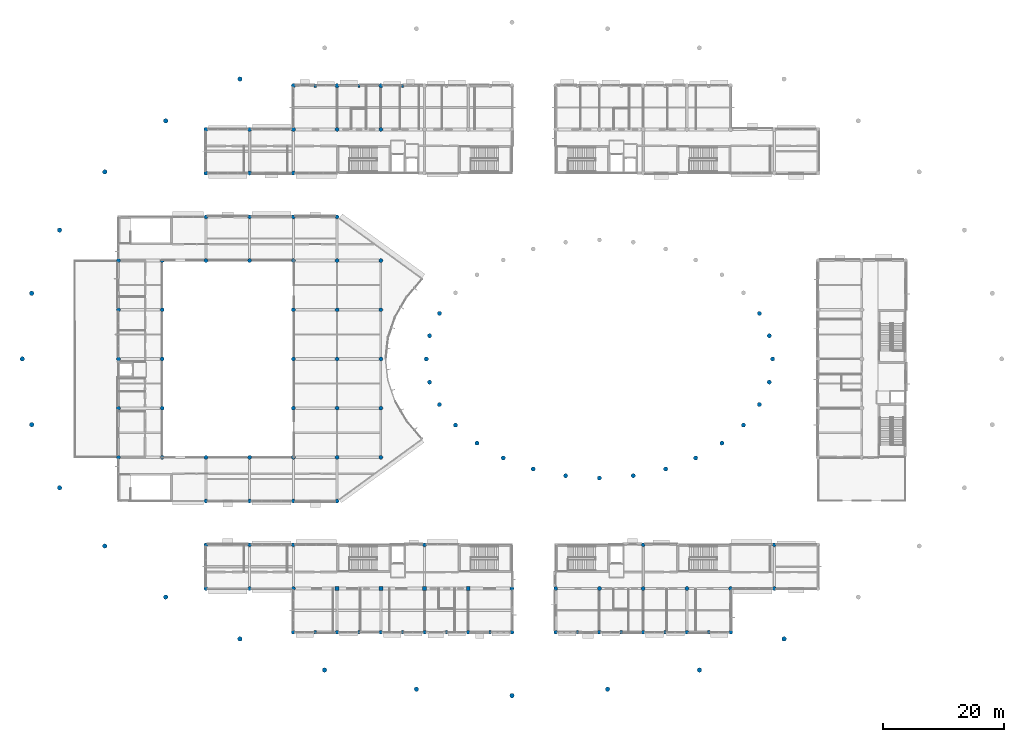
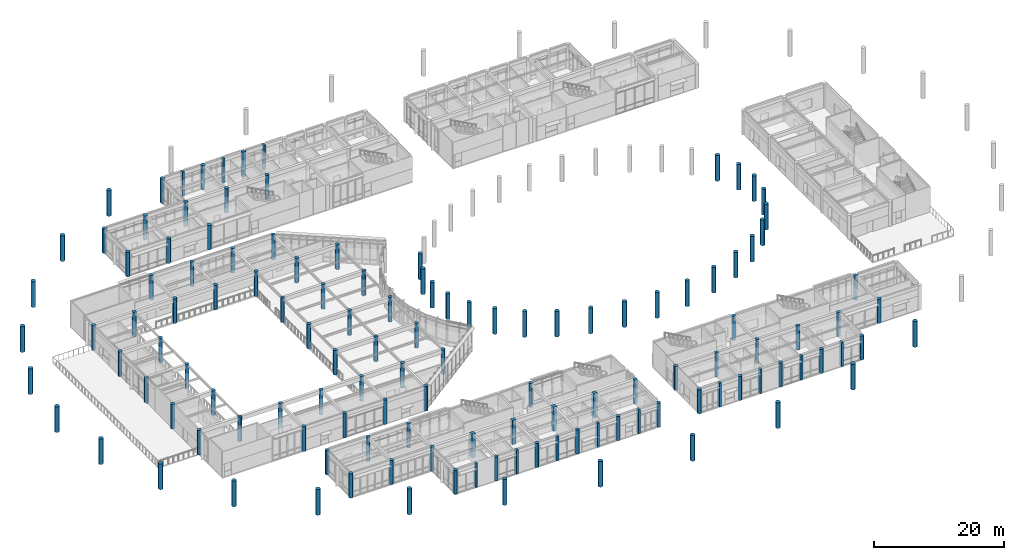
# One storey, part 1 of 92: 129 columns.
"""IFC4 building model written with IfcOpenShell, lengths in metres."""

from ifc_helpers import new_model, si_unit, direction, frame, origin, origin_2d, place, context, subcontext, project, spatial, rectangle, circle, extrude, material, material_profile, profile_set, type_object, element, save


model = new_model("IFC4")

# Units and contexts
model_context = context("Model", 3, precision=1e-05, world=origin(), true_north=direction((0.0, 1.0)))
body_context = subcontext(model_context, "Body", "Model", "MODEL_VIEW")
ifc_project = project(units=[si_unit("LENGTHUNIT", "METRE"), si_unit("AREAUNIT", "SQUARE_METRE"), si_unit("VOLUMEUNIT", "CUBIC_METRE"), si_unit("PLANEANGLEUNIT", "RADIAN"), si_unit("MASSUNIT", "GRAM", prefix="KILO")], contexts=[model_context])

# Site, building, storey
site_placement = place(None, origin())
site = spatial("IfcSite", under=ifc_project, at=site_placement, CompositionType="ELEMENT")
building_placement = place(site_placement, origin())
building = spatial("IfcBuilding", under=site, at=building_placement, Name="Namkhue Oval Health Centre", CompositionType="ELEMENT")
storey_placement = place(building_placement, frame((0.0, 0.0, 4.800048828125)))
storey = spatial("IfcBuildingStorey", under=building, at=storey_placement, Name="L01", CompositionType="ELEMENT", Elevation=4.800048828125)

# Columns
ifc_material = material(Name="Reinforced concrete C35/45 (TCVN B40)", Category="concrete")
ifc_material_profile_1 = material_profile(ifc_material, rectangle(XDim=0.35009765625, YDim=0.60009765625, at=origin_2d()), Name="RC 350x600")
ifc_profile_set_1 = profile_set([ifc_material_profile_1], Name="Reinforced concrete C35/45 (TCVN B40)")
column_type_1 = type_object("IfcColumnType", Name="FACADE PILASTER 350X600", PredefinedType="PILASTER", material=ifc_profile_set_1)
for number, where, z_axis, x_axis, name in (
    (1, (54.0, 104.39990234375, 0.0), (0.0, 0.0, 1.0), (1.0, 0.0, 0.0), "Volume V2 L01 Street Pilaster 8"),
    (2, (61.199951171875, 104.39990234375, 0.0), (0.0, 0.0, 1.0), (1.0, 0.0, 0.0), "Volume V2 L01 Street Pilaster 9"),
    (3, (68.39990234375, 104.39990234375, 0.0), (0.0, 0.0, 1.0), (1.0, 0.0, 0.0), "Volume V2 L01 Street Pilaster 10"),
):
    element("IfcColumn", number, at=place(storey_placement, frame(where, z_axis=z_axis, x_axis=x_axis)), inside=storey, type_object=column_type_1, Name=name, PredefinedType="PILASTER", context=body_context, shape_type="SweptSolid", body=[
        extrude(rectangle(XDim=0.35009765625, YDim=0.60009765625, at=origin_2d()), origin(), (0.0, 0.0, 1.0), 4.554931640625),
    ])
for number, where, z_axis, x_axis, name in (
    (4, (54.0, 14.39990234375, 0.0), (0.0, 0.0, 1.0), (1.0, 0.0, 0.0), "Volume V4 L01 Street Pilaster 8"),
    (5, (61.199951171875, 14.39990234375, 0.0), (0.0, 0.0, 1.0), (1.0, 0.0, 0.0), "Volume V4 L01 Street Pilaster 9"),
    (6, (68.39990234375, 14.39990234375, 0.0), (0.0, 0.0, 1.0), (1.0, 0.0, 0.0), "Volume V4 L01 Street Pilaster 10"),
    (7, (75.60009765625, 14.39990234375, 0.0), (0.0, 0.0, 1.0), (1.0, 0.0, 0.0), "Volume V4 L01 Street Pilaster 11"),
    (8, (82.800048828125, 14.39990234375, 0.0), (0.0, 0.0, 1.0), (1.0, 0.0, 0.0), "Volume V4 L01 Street Pilaster 12"),
):
    element("IfcColumn", number, at=place(storey_placement, frame(where, z_axis=z_axis, x_axis=x_axis)), inside=storey, type_object=column_type_1, Name=name, PredefinedType="PILASTER", context=body_context, shape_type="SweptSolid", body=[
        extrude(rectangle(XDim=0.35009765625, YDim=0.60009765625, at=origin_2d()), origin(), (0.0, 0.0, 1.0), 4.5048828125),
    ])
for number, where, z_axis, x_axis, name in (
    (9, (97.199951171875, 14.39990234375, 0.0), (0.0, 0.0, 1.0), (1.0, 0.0, 0.0), "Volume V5 L01 Street Pilaster 14"),
    (10, (104.39990234375, 14.39990234375, 0.0), (0.0, 0.0, 1.0), (1.0, 0.0, 0.0), "Volume V5 L01 Street Pilaster 15"),
    (11, (111.60009765625, 14.39990234375, 0.0), (0.0, 0.0, 1.0), (1.0, 0.0, 0.0), "Volume V5 L01 Street Pilaster 16"),
    (12, (118.800048828125, 14.39990234375, 0.0), (0.0, 0.0, 1.0), (1.0, 0.0, 0.0), "Volume V5 L01 Street Pilaster 17"),
):
    element("IfcColumn", number, at=place(storey_placement, frame(where, z_axis=z_axis, x_axis=x_axis)), inside=storey, type_object=column_type_1, Name=name, PredefinedType="PILASTER", context=body_context, shape_type="SweptSolid", body=[
        extrude(rectangle(XDim=0.35009765625, YDim=0.60009765625, at=origin_2d()), origin(), (0.0, 0.0, 1.0), 4.489990234375),
    ])
ifc_material_profile_2 = material_profile(ifc_material, rectangle(XDim=0.64990234375, YDim=0.64990234375, at=origin_2d()), Name="RC 650x650")
ifc_profile_set_2 = profile_set([ifc_material_profile_2], Name="Reinforced concrete C35/45 (TCVN B40)")
column_type_2 = type_object("IfcColumnType", Name="RC COLUMN 650X650 INT", PredefinedType="COLUMN", material=ifc_profile_set_2)
for number, where, z_axis, x_axis, name in (
    (13, (57.60009765625, 21.60009765625, 0.0), (0.0, 0.0, 1.0), (1.0, 0.0, 0.0), "Volume V4 L01 Column 9/D"),
    (14, (64.800048828125, 21.60009765625, 0.0), (0.0, 0.0, 1.0), (1.0, 0.0, 0.0), "Volume V4 L01 Column 10/D"),
    (15, (72.0, 21.60009765625, 0.0), (0.0, 0.0, 1.0), (1.0, 0.0, 0.0), "Volume V4 L01 Column 11/D"),
    (16, (79.199951171875, 21.60009765625, 0.0), (0.0, 0.0, 1.0), (1.0, 0.0, 0.0), "Volume V4 L01 Column 12/D"),
):
    element("IfcColumn", number, at=place(storey_placement, frame(where, z_axis=z_axis, x_axis=x_axis)), inside=storey, type_object=column_type_2, Name=name, PredefinedType="COLUMN", context=body_context, shape_type="SweptSolid", body=[
        extrude(rectangle(XDim=0.64990234375, YDim=0.64990234375, at=origin_2d()), origin(), (0.0, 0.0, 1.0), 4.5048828125),
    ])
ifc_material_profile_3 = material_profile(ifc_material, circle(Radius=0.324951171875, at=origin_2d()), Name="RC D650")
ifc_profile_set_3 = profile_set([ifc_material_profile_3], Name="Reinforced concrete C35/45 (TCVN B40)")
column_type_3 = type_object("IfcColumnType", Name="RC COLUMN D650 EXT", PredefinedType="COLUMN", material=ifc_profile_set_3)
for number, where, z_axis, x_axis, name in (
    (17, (21.60009765625, 43.199951171875, 0.0), (0.0, 0.0, 1.0), (1.0, 0.0, 0.0), "Volume V1 L01 Column 4/G"),
    (18, (21.60009765625, 51.300048828125, 0.0), (0.0, 0.0, 1.0), (1.0, 0.0, 0.0), "Volume V1 L01 Column 4/H"),
    (19, (21.60009765625, 59.39990234375, 0.0), (0.0, 0.0, 1.0), (1.0, 0.0, 0.0), "Volume V1 L01 Column 4/J"),
    (20, (21.60009765625, 67.5, 0.0), (0.0, 0.0, 1.0), (1.0, 0.0, 0.0), "Volume V1 L01 Column 4/K"),
    (21, (21.60009765625, 75.60009765625, 0.0), (0.0, 0.0, 1.0), (1.0, 0.0, 0.0), "Volume V1 L01 Column 4/L"),
    (22, (36.0, 36.0, 0.0), (0.0, 0.0, 1.0), (1.0, 0.0, 0.0), "Volume V1 L01 Column 6/F"),
    (23, (36.0, 82.800048828125, 0.0), (0.0, 0.0, 1.0), (1.0, 0.0, 0.0), "Volume V1 L01 Column 6/M"),
    (24, (43.199951171875, 36.0, 0.0), (0.0, 0.0, 1.0), (1.0, 0.0, 0.0), "Volume V1 L01 Column 7/F"),
    (25, (43.199951171875, 82.800048828125, 0.0), (0.0, 0.0, 1.0), (1.0, 0.0, 0.0), "Volume V1 L01 Column 7/M"),
    (26, (50.39990234375, 36.0, 0.0), (0.0, 0.0, 1.0), (1.0, 0.0, 0.0), "Volume V1 L01 Column 8/F"),
    (27, (50.39990234375, 82.800048828125, 0.0), (0.0, 0.0, 1.0), (1.0, 0.0, 0.0), "Volume V1 L01 Column 8/M"),
    (28, (57.60009765625, 36.0, 0.0), (0.0, 0.0, 1.0), (1.0, 0.0, 0.0), "Volume V1 L01 Column 9/F"),
    (29, (57.60009765625, 82.800048828125, 0.0), (0.0, 0.0, 1.0), (1.0, 0.0, 0.0), "Volume V1 L01 Column 9/M"),
):
    element("IfcColumn", number, at=place(storey_placement, frame(where, z_axis=z_axis, x_axis=x_axis)), inside=storey, type_object=column_type_3, Name=name, PredefinedType="COLUMN", context=body_context, shape_type="SweptSolid", body=[
        extrude(circle(Radius=0.324951171875, at=origin_2d()), origin(), (0.0, 0.0, 1.0), 4.599853515625),
    ])
for number, where, z_axis, x_axis, name in (
    (30, (36.0, 21.60009765625, 0.0), (0.0, 0.0, 1.0), (1.0, 0.0, 0.0), "Volume V4 L01 Column 6/D"),
    (31, (36.0, 28.800048828125, 0.0), (0.0, 0.0, 1.0), (1.0, 0.0, 0.0), "Volume V4 L01 Column 6/E"),
):
    element("IfcColumn", number, at=place(storey_placement, frame(where, z_axis=z_axis, x_axis=x_axis)), inside=storey, type_object=column_type_3, Name=name, PredefinedType="COLUMN", context=body_context, shape_type="SweptSolid", body=[
        extrude(circle(Radius=0.324951171875, at=origin_2d()), origin(), (0.0, 0.0, 1.0), 4.5478515625),
    ])
for number, where, z_axis, x_axis, name in (
    (32, (43.199951171875, 21.60009765625, 0.0), (0.0, 0.0, 1.0), (1.0, 0.0, 0.0), "Volume V4 L01 Column 7/D"),
    (33, (43.199951171875, 28.800048828125, 0.0), (0.0, 0.0, 1.0), (1.0, 0.0, 0.0), "Volume V4 L01 Column 7/E"),
    (34, (50.39990234375, 14.39990234375, 0.0), (0.0, 0.0, 1.0), (1.0, 0.0, 0.0), "Volume V4 L01 Column 8/C"),
    (35, (50.39990234375, 21.60009765625, 0.0), (0.0, 0.0, 1.0), (1.0, 0.0, 0.0), "Volume V4 L01 Column 8/D"),
    (36, (50.39990234375, 28.800048828125, 0.0), (0.0, 0.0, 1.0), (1.0, 0.0, 0.0), "Volume V4 L01 Column 8/E"),
    (37, (57.60009765625, 14.39990234375, 0.0), (0.0, 0.0, 1.0), (1.0, 0.0, 0.0), "Volume V4 L01 Column 9/C"),
    (38, (64.800048828125, 14.39990234375, 0.0), (0.0, 0.0, 1.0), (1.0, 0.0, 0.0), "Volume V4 L01 Column 10/C"),
    (39, (72.0, 14.39990234375, 0.0), (0.0, 0.0, 1.0), (1.0, 0.0, 0.0), "Volume V4 L01 Column 11/C"),
    (40, (72.0, 28.800048828125, 0.0), (0.0, 0.0, 1.0), (1.0, 0.0, 0.0), "Volume V4 L01 Column 11/E"),
    (41, (79.199951171875, 14.39990234375, 0.0), (0.0, 0.0, 1.0), (1.0, 0.0, 0.0), "Volume V4 L01 Column 12/C"),
    (42, (86.39990234375, 14.39990234375, 0.0), (0.0, 0.0, 1.0), (1.0, 0.0, 0.0), "Volume V4 L01 Column 13/C"),
    (43, (86.39990234375, 21.60009765625, 0.0), (0.0, 0.0, 1.0), (1.0, 0.0, 0.0), "Volume V4 L01 Column 13/D"),
):
    element("IfcColumn", number, at=place(storey_placement, frame(where, z_axis=z_axis, x_axis=x_axis)), inside=storey, type_object=column_type_3, Name=name, PredefinedType="COLUMN", context=body_context, shape_type="SweptSolid", body=[
        extrude(circle(Radius=0.324951171875, at=origin_2d()), origin(), (0.0, 0.0, 1.0), 4.5048828125),
    ])
for number, where, z_axis, x_axis, name in (
    (44, (93.60009765625, 14.39990234375, 0.0), (0.0, 0.0, 1.0), (1.0, 0.0, 0.0), "Volume V5 L01 Column 14/C"),
    (45, (93.60009765625, 21.60009765625, 0.0), (0.0, 0.0, 1.0), (1.0, 0.0, 0.0), "Volume V5 L01 Column 14/D"),
    (46, (100.800048828125, 14.39990234375, 0.0), (0.0, 0.0, 1.0), (1.0, 0.0, 0.0), "Volume V5 L01 Column 15/C"),
    (47, (108.0, 14.39990234375, 0.0), (0.0, 0.0, 1.0), (1.0, 0.0, 0.0), "Volume V5 L01 Column 16/C"),
    (48, (108.0, 28.800048828125, 0.0), (0.0, 0.0, 1.0), (1.0, 0.0, 0.0), "Volume V5 L01 Column 16/E"),
    (49, (115.199951171875, 14.39990234375, 0.0), (0.0, 0.0, 1.0), (1.0, 0.0, 0.0), "Volume V5 L01 Column 17/C"),
    (50, (122.39990234375, 14.39990234375, 0.0), (0.0, 0.0, 1.0), (1.0, 0.0, 0.0), "Volume V5 L01 Column 18/C"),
    (51, (122.39990234375, 21.60009765625, 0.0), (0.0, 0.0, 1.0), (1.0, 0.0, 0.0), "Volume V5 L01 Column 18/D"),
    (52, (129.60009765625, 21.60009765625, 0.0), (0.0, 0.0, 1.0), (1.0, 0.0, 0.0), "Volume V5 L01 Column 19/D"),
    (53, (129.60009765625, 28.800048828125, 0.0), (0.0, 0.0, 1.0), (1.0, 0.0, 0.0), "Volume V5 L01 Column 19/E"),
):
    element("IfcColumn", number, at=place(storey_placement, frame(where, z_axis=z_axis, x_axis=x_axis)), inside=storey, type_object=column_type_3, Name=name, PredefinedType="COLUMN", context=body_context, shape_type="SweptSolid", body=[
        extrude(circle(Radius=0.324951171875, at=origin_2d()), origin(), (0.0, 0.0, 1.0), 4.489990234375),
    ])
ifc_material_profile_4 = material_profile(ifc_material, circle(Radius=0.324951171875, at=origin_2d()), Name="RC D650")
ifc_profile_set_4 = profile_set([ifc_material_profile_4], Name="Reinforced concrete C35/45 (TCVN B40)")
column_type_4 = type_object("IfcColumnType", Name="RC COLUMN D650 INT", PredefinedType="COLUMN", material=ifc_profile_set_4)
for number, where, z_axis, x_axis, name in (
    (54, (28.800048828125, 43.199951171875, 0.0), (0.0, 0.0, 1.0), (1.0, 0.0, 0.0), "Volume V1 L01 Column 5/G"),
    (55, (28.800048828125, 51.300048828125, 0.0), (0.0, 0.0, 1.0), (1.0, 0.0, 0.0), "Volume V1 L01 Column 5/H"),
    (56, (28.800048828125, 59.39990234375, 0.0), (0.0, 0.0, 1.0), (1.0, 0.0, 0.0), "Volume V1 L01 Column 5/J"),
    (57, (28.800048828125, 67.5, 0.0), (0.0, 0.0, 1.0), (1.0, 0.0, 0.0), "Volume V1 L01 Column 5/K"),
    (58, (28.800048828125, 75.60009765625, 0.0), (0.0, 0.0, 1.0), (1.0, 0.0, 0.0), "Volume V1 L01 Column 5/L"),
    (59, (36.0, 43.199951171875, 0.0), (0.0, 0.0, 1.0), (1.0, 0.0, 0.0), "Volume V1 L01 Column 6/G"),
    (60, (36.0, 75.60009765625, 0.0), (0.0, 0.0, 1.0), (1.0, 0.0, 0.0), "Volume V1 L01 Column 6/L"),
    (61, (43.199951171875, 43.199951171875, 0.0), (0.0, 0.0, 1.0), (1.0, 0.0, 0.0), "Volume V1 L01 Column 7/G"),
    (62, (43.199951171875, 75.60009765625, 0.0), (0.0, 0.0, 1.0), (1.0, 0.0, 0.0), "Volume V1 L01 Column 7/L"),
    (63, (50.39990234375, 43.199951171875, 0.0), (0.0, 0.0, 1.0), (1.0, 0.0, 0.0), "Volume V1 L01 Column 8/G"),
    (64, (50.39990234375, 51.300048828125, 0.0), (0.0, 0.0, 1.0), (1.0, 0.0, 0.0), "Volume V1 L01 Column 8/H"),
    (65, (50.39990234375, 59.39990234375, 0.0), (0.0, 0.0, 1.0), (1.0, 0.0, 0.0), "Volume V1 L01 Column 8/J"),
    (66, (50.39990234375, 67.5, 0.0), (0.0, 0.0, 1.0), (1.0, 0.0, 0.0), "Volume V1 L01 Column 8/K"),
    (67, (50.39990234375, 75.60009765625, 0.0), (0.0, 0.0, 1.0), (1.0, 0.0, 0.0), "Volume V1 L01 Column 8/L"),
    (68, (57.60009765625, 43.199951171875, 0.0), (0.0, 0.0, 1.0), (1.0, 0.0, 0.0), "Volume V1 L01 Column 9/G"),
    (69, (57.60009765625, 51.300048828125, 0.0), (0.0, 0.0, 1.0), (1.0, 0.0, 0.0), "Volume V1 L01 Column 9/H"),
    (70, (57.60009765625, 59.39990234375, 0.0), (0.0, 0.0, 1.0), (1.0, 0.0, 0.0), "Volume V1 L01 Column 9/J"),
    (71, (57.60009765625, 67.5, 0.0), (0.0, 0.0, 1.0), (1.0, 0.0, 0.0), "Volume V1 L01 Column 9/K"),
    (72, (57.60009765625, 75.60009765625, 0.0), (0.0, 0.0, 1.0), (1.0, 0.0, 0.0), "Volume V1 L01 Column 9/L"),
    (73, (64.800048828125, 43.199951171875, 0.0), (0.0, 0.0, 1.0), (1.0, 0.0, 0.0), "Volume V1 L01 Column 10/G"),
    (74, (64.800048828125, 51.300048828125, 0.0), (0.0, 0.0, 1.0), (1.0, 0.0, 0.0), "Volume V1 L01 Column 10/H"),
    (75, (64.800048828125, 59.39990234375, 0.0), (0.0, 0.0, 1.0), (1.0, 0.0, 0.0), "Volume V1 L01 Column 10/J"),
    (76, (64.800048828125, 67.5, 0.0), (0.0, 0.0, 1.0), (1.0, 0.0, 0.0), "Volume V1 L01 Column 10/K"),
    (77, (64.800048828125, 75.60009765625, 0.0), (0.0, 0.0, 1.0), (1.0, 0.0, 0.0), "Volume V1 L01 Column 10/L"),
):
    element("IfcColumn", number, at=place(storey_placement, frame(where, z_axis=z_axis, x_axis=x_axis)), inside=storey, type_object=column_type_4, Name=name, PredefinedType="COLUMN", context=body_context, shape_type="SweptSolid", body=[
        extrude(circle(Radius=0.324951171875, at=origin_2d()), origin(), (0.0, 0.0, 1.0), 4.599853515625),
    ])
for number, where, z_axis, x_axis, name in (
    (78, (57.60009765625, 97.199951171875, 0.0), (0.0, 0.0, 1.0), (1.0, 0.0, 0.0), "Volume V2 L01 Column 9/O"),
    (79, (64.800048828125, 97.199951171875, 0.0), (0.0, 0.0, 1.0), (1.0, 0.0, 0.0), "Volume V2 L01 Column 10/O"),
):
    element("IfcColumn", number, at=place(storey_placement, frame(where, z_axis=z_axis, x_axis=x_axis)), inside=storey, type_object=column_type_4, Name=name, PredefinedType="COLUMN", context=body_context, shape_type="SweptSolid", body=[
        extrude(circle(Radius=0.324951171875, at=origin_2d()), origin(), (0.0, 0.0, 1.0), 4.554931640625),
    ])
for number, where, z_axis, x_axis, name in (
    (80, (100.800048828125, 21.60009765625, 0.0), (0.0, 0.0, 1.0), (1.0, 0.0, 0.0), "Volume V5 L01 Column 15/D"),
    (81, (108.0, 21.60009765625, 0.0), (0.0, 0.0, 1.0), (1.0, 0.0, 0.0), "Volume V5 L01 Column 16/D"),
    (82, (115.199951171875, 21.60009765625, 0.0), (0.0, 0.0, 1.0), (1.0, 0.0, 0.0), "Volume V5 L01 Column 17/D"),
):
    element("IfcColumn", number, at=place(storey_placement, frame(where, z_axis=z_axis, x_axis=x_axis)), inside=storey, type_object=column_type_4, Name=name, PredefinedType="COLUMN", context=body_context, shape_type="SweptSolid", body=[
        extrude(circle(Radius=0.324951171875, at=origin_2d()), origin(), (0.0, 0.0, 1.0), 4.489990234375),
    ])
ifc_material_profile_5 = material_profile(ifc_material, circle(Radius=0.35009765625, at=origin_2d()), Name="RC D700")
ifc_profile_set_5 = profile_set([ifc_material_profile_5], Name="Reinforced concrete C35/45 (TCVN B40)")
column_type_5 = type_object("IfcColumnType", Name="RC COLUMN D700 EXT", PredefinedType="COLUMN", material=ifc_profile_set_5)
for number, where, z_axis, x_axis, name in (
    (83, (36.0, 90.0, 0.0), (0.0, 0.0, 1.0), (1.0, 0.0, 0.0), "Volume V2 L01 Column 6/N"),
    (84, (36.0, 97.199951171875, 0.0), (0.0, 0.0, 1.0), (1.0, 0.0, 0.0), "Volume V2 L01 Column 6/O"),
):
    element("IfcColumn", number, at=place(storey_placement, frame(where, z_axis=z_axis, x_axis=x_axis)), inside=storey, type_object=column_type_5, Name=name, PredefinedType="COLUMN", context=body_context, shape_type="SweptSolid", body=[
        extrude(circle(Radius=0.35009765625, at=origin_2d()), origin(), (0.0, 0.0, 1.0), 4.5849609375),
    ])
for number, where, z_axis, x_axis, name in (
    (85, (43.199951171875, 90.0, 0.0), (0.0, 0.0, 1.0), (1.0, 0.0, 0.0), "Volume V2 L01 Column 7/N"),
    (86, (43.199951171875, 97.199951171875, 0.0), (0.0, 0.0, 1.0), (1.0, 0.0, 0.0), "Volume V2 L01 Column 7/O"),
    (87, (50.39990234375, 90.0, 0.0), (0.0, 0.0, 1.0), (1.0, 0.0, 0.0), "Volume V2 L01 Column 8/N"),
    (88, (50.39990234375, 97.199951171875, 0.0), (0.0, 0.0, 1.0), (1.0, 0.0, 0.0), "Volume V2 L01 Column 8/O"),
    (89, (50.39990234375, 104.39990234375, 0.0), (0.0, 0.0, 1.0), (1.0, 0.0, 0.0), "Volume V2 L01 Column 8/P"),
    (90, (57.60009765625, 104.39990234375, 0.0), (0.0, 0.0, 1.0), (1.0, 0.0, 0.0), "Volume V2 L01 Column 9/P"),
    (91, (64.800048828125, 104.39990234375, 0.0), (0.0, 0.0, 1.0), (1.0, 0.0, 0.0), "Volume V2 L01 Column 10/P"),
):
    element("IfcColumn", number, at=place(storey_placement, frame(where, z_axis=z_axis, x_axis=x_axis)), inside=storey, type_object=column_type_5, Name=name, PredefinedType="COLUMN", context=body_context, shape_type="SweptSolid", body=[
        extrude(circle(Radius=0.35009765625, at=origin_2d()), origin(), (0.0, 0.0, 1.0), 4.554931640625),
    ])
for number, where, z_axis, x_axis, name in (
    (92, (129.31201171875, 59.39990234375, 0.0), (0.0, 0.0, 1.0), (1.0, 0.0, 0.0), "Gridshell IR Colonnade Column 1 L01"),
    (93, (128.76416015625, 63.22412109375, 0.0), (0.0, 0.0, 1.0), (1.0, 0.0, 0.0), "Gridshell IR Colonnade Column 2 L01"),
    (94, (127.1416015625, 66.9013671875, 0.0), (0.0, 0.0, 1.0), (1.0, 0.0, 0.0), "Gridshell IR Colonnade Column 3 L01"),
    (95, (74.458251953125, 66.9013671875, 0.0), (0.0, 0.0, 1.0), (1.0, 0.0, 0.0), "Gridshell IR Colonnade Column 15 L01"),
    (96, (72.8359375, 63.22412109375, 0.0), (0.0, 0.0, 1.0), (1.0, 0.0, 0.0), "Gridshell IR Colonnade Column 16 L01"),
    (97, (72.2880859375, 59.39990234375, 0.0), (0.0, 0.0, 1.0), (1.0, 0.0, 0.0), "Gridshell IR Colonnade Column 17 L01"),
    (98, (72.8359375, 55.575927734375, 0.0), (0.0, 0.0, 1.0), (1.0, 0.0, 0.0), "Gridshell IR Colonnade Column 18 L01"),
    (99, (74.458251953125, 51.898681640625, 0.0), (0.0, 0.0, 1.0), (1.0, 0.0, 0.0), "Gridshell IR Colonnade Column 19 L01"),
    (100, (77.093017578125, 48.509765625, 0.0), (0.0, 0.0, 1.0), (1.0, 0.0, 0.0), "Gridshell IR Colonnade Column 20 L01"),
    (101, (80.638916015625, 45.539306640625, 0.0), (0.0, 0.0, 1.0), (1.0, 0.0, 0.0), "Gridshell IR Colonnade Column 21 L01"),
    (102, (84.95947265625, 43.1015625, 0.0), (0.0, 0.0, 1.0), (1.0, 0.0, 0.0), "Gridshell IR Colonnade Column 22 L01"),
    (103, (89.888916015625, 41.2900390625, 0.0), (0.0, 0.0, 1.0), (1.0, 0.0, 0.0), "Gridshell IR Colonnade Column 23 L01"),
    (104, (95.237548828125, 40.174560546875, 0.0), (0.0, 0.0, 1.0), (1.0, 0.0, 0.0), "Gridshell IR Colonnade Column 24 L01"),
    (105, (100.800048828125, 39.798095703125, 0.0), (0.0, 0.0, 1.0), (1.0, 0.0, 0.0), "Gridshell IR Colonnade Column 25 L01"),
    (106, (106.3623046875, 40.174560546875, 0.0), (0.0, 0.0, 1.0), (1.0, 0.0, 0.0), "Gridshell IR Colonnade Column 26 L01"),
    (107, (111.711181640625, 41.2900390625, 0.0), (0.0, 0.0, 1.0), (1.0, 0.0, 0.0), "Gridshell IR Colonnade Column 27 L01"),
    (108, (116.640380859375, 43.1015625, 0.0), (0.0, 0.0, 1.0), (1.0, 0.0, 0.0), "Gridshell IR Colonnade Column 28 L01"),
    (109, (120.9609375, 45.539306640625, 0.0), (0.0, 0.0, 1.0), (1.0, 0.0, 0.0), "Gridshell IR Colonnade Column 29 L01"),
    (110, (124.5068359375, 48.509765625, 0.0), (0.0, 0.0, 1.0), (1.0, 0.0, 0.0), "Gridshell IR Colonnade Column 30 L01"),
    (111, (127.1416015625, 51.898681640625, 0.0), (0.0, 0.0, 1.0), (1.0, 0.0, 0.0), "Gridshell IR Colonnade Column 31 L01"),
    (112, (128.76416015625, 55.575927734375, 0.0), (0.0, 0.0, 1.0), (1.0, 0.0, 0.0), "Gridshell IR Colonnade Column 32 L01"),
):
    element("IfcColumn", number, at=place(storey_placement, frame(where, z_axis=z_axis, x_axis=x_axis)), inside=storey, type_object=column_type_5, Name=name, PredefinedType="COLUMN", context=body_context, shape_type="SweptSolid", body=[
        extrude(circle(Radius=0.35009765625, at=origin_2d()), origin(), (0.0, 0.0, 1.0), 4.800048828125),
    ])
ifc_material_profile_6 = material_profile(ifc_material, circle(Radius=0.375, at=origin_2d()), Name="RC D750")
ifc_profile_set_6 = profile_set([ifc_material_profile_6], Name="Reinforced concrete C35/45 (TCVN B40)")
column_type_6 = type_object("IfcColumnType", Name="RC COLUMN D750 EXT", PredefinedType="COLUMN", material=ifc_profile_set_6)
for number, where, z_axis, x_axis, name in (
    (113, (41.598876953125, 105.49658203125, 0.0), (0.0, 0.0, 1.0), (1.0, 0.0, 0.0), "Gridshell OR Colonnade Column 12 L01"),
    (114, (29.37890625, 98.60205078125, 0.0), (0.0, 0.0, 1.0), (1.0, 0.0, 0.0), "Gridshell OR Colonnade Column 13 L01"),
    (115, (19.350341796875, 90.200927734375, 0.0), (0.0, 0.0, 1.0), (1.0, 0.0, 0.0), "Gridshell OR Colonnade Column 14 L01"),
    (116, (11.8984375, 80.615966796875, 0.0), (0.0, 0.0, 1.0), (1.0, 0.0, 0.0), "Gridshell OR Colonnade Column 15 L01"),
    (117, (7.3095703125, 70.2158203125, 0.0), (0.0, 0.0, 1.0), (1.0, 0.0, 0.0), "Gridshell OR Colonnade Column 16 L01"),
    (118, (5.760009765625, 59.39990234375, 0.0), (0.0, 0.0, 1.0), (1.0, 0.0, 0.0), "Gridshell OR Colonnade Column 17 L01"),
    (119, (7.3095703125, 48.584228515625, 0.0), (0.0, 0.0, 1.0), (1.0, 0.0, 0.0), "Gridshell OR Colonnade Column 18 L01"),
    (120, (11.8984375, 38.18408203125, 0.0), (0.0, 0.0, 1.0), (1.0, 0.0, 0.0), "Gridshell OR Colonnade Column 19 L01"),
    (121, (19.350341796875, 28.59912109375, 0.0), (0.0, 0.0, 1.0), (1.0, 0.0, 0.0), "Gridshell OR Colonnade Column 20 L01"),
    (122, (29.37890625, 20.197998046875, 0.0), (0.0, 0.0, 1.0), (1.0, 0.0, 0.0), "Gridshell OR Colonnade Column 21 L01"),
    (123, (41.598876953125, 13.30322265625, 0.0), (0.0, 0.0, 1.0), (1.0, 0.0, 0.0), "Gridshell OR Colonnade Column 22 L01"),
    (124, (55.54052734375, 8.18017578125, 0.0), (0.0, 0.0, 1.0), (1.0, 0.0, 0.0), "Gridshell OR Colonnade Column 23 L01"),
    (125, (70.66796875, 5.025146484375, 0.0), (0.0, 0.0, 1.0), (1.0, 0.0, 0.0), "Gridshell OR Colonnade Column 24 L01"),
    (126, (86.39990234375, 3.9599609375, 0.0), (0.0, 0.0, 1.0), (1.0, 0.0, 0.0), "Gridshell OR Colonnade Column 25 L01"),
    (127, (102.132080078125, 5.025146484375, 0.0), (0.0, 0.0, 1.0), (1.0, 0.0, 0.0), "Gridshell OR Colonnade Column 26 L01"),
    (128, (117.259521484375, 8.18017578125, 0.0), (0.0, 0.0, 1.0), (1.0, 0.0, 0.0), "Gridshell OR Colonnade Column 27 L01"),
    (129, (131.201171875, 13.30322265625, 0.0), (0.0, 0.0, 1.0), (1.0, 0.0, 0.0), "Gridshell OR Colonnade Column 28 L01"),
):
    element("IfcColumn", number, at=place(storey_placement, frame(where, z_axis=z_axis, x_axis=x_axis)), inside=storey, type_object=column_type_6, Name=name, PredefinedType="COLUMN", context=body_context, shape_type="SweptSolid", body=[
        extrude(circle(Radius=0.375, at=origin_2d()), origin(), (0.0, 0.0, 1.0), 4.800048828125),
    ])

save(model, "model.ifc")
